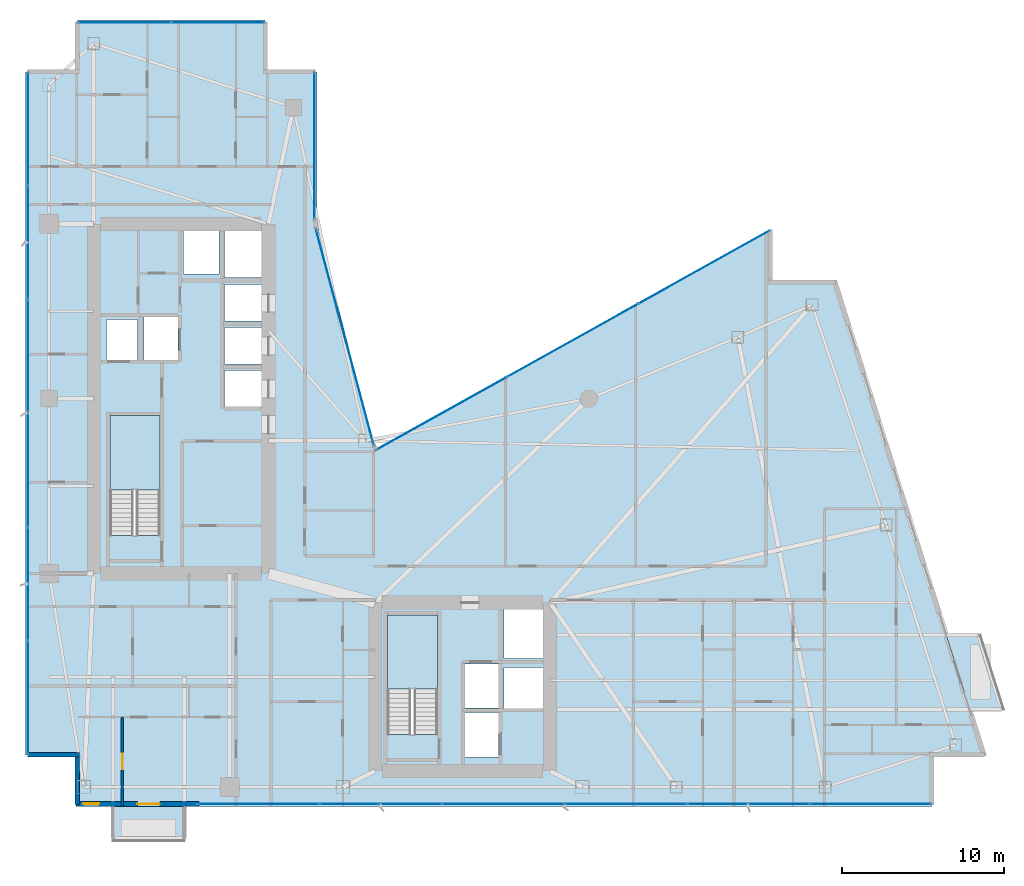
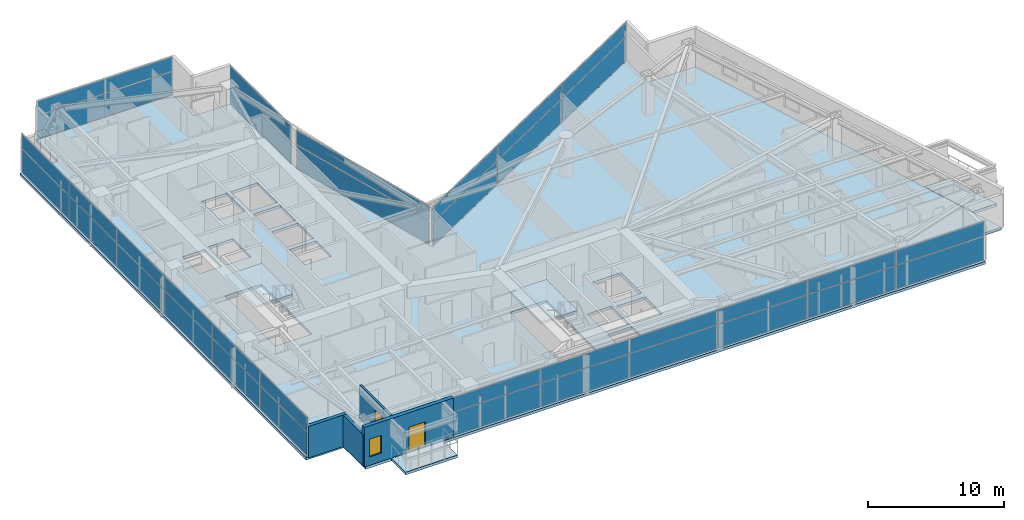
# One storey, part 21 of 29: 38 plates, 5 slabs, 4 walls, 2 doors, 1 window, 3 openings, 8 elements without a shape of their own.
"""IFC4 building model written with IfcOpenShell, lengths in metres."""

from ifc_helpers import new_model, si_unit, direction, frame, frame_2d, origin, origin_2d, place, context, subcontext, project, spatial, polyline, rectangle, outline, extrude, material, layer, layer_set, type_object, element, fill, aggregate, save


model = new_model("IFC4")

# Units and contexts
model_context = context("Model", 3, precision=1e-05, world=origin(), true_north=direction((0.0, 1.0)))
body_context = subcontext(model_context, "Body", "Model", "MODEL_VIEW")
ifc_project = project(units=[si_unit("LENGTHUNIT", "METRE"), si_unit("AREAUNIT", "SQUARE_METRE"), si_unit("VOLUMEUNIT", "CUBIC_METRE"), si_unit("PLANEANGLEUNIT", "RADIAN"), si_unit("MASSUNIT", "GRAM", prefix="KILO")], contexts=[model_context])

# Site, building, storey
site_placement = place(None, origin())
site = spatial("IfcSite", under=ifc_project, at=site_placement, CompositionType="ELEMENT")
building_placement = place(site_placement, origin())
building = spatial("IfcBuilding", under=site, at=building_placement, Name="Calvorn Quay Hotel", CompositionType="ELEMENT")
storey_placement = place(building_placement, frame((0.0, 0.0, 120.199951171875)))
storey = spatial("IfcBuildingStorey", under=building, at=storey_placement, Name="L29", CompositionType="ELEMENT", Elevation=120.199951171875)

# Curtain wall, plates
ifc_material_1 = material(Name="Pale Anodised Aluminium and Low-E Glass", Category="aluminium")
ifc_layer_1 = layer(ifc_material_1, 0.219970703125)
ifc_layer_set_1 = layer_set([ifc_layer_1], Name="CW-SYS-Z2")
curtain_wall_type = type_object("IfcCurtainWallType", Name="CW-SYS-Z2", PredefinedType="NOTDEFINED", material=ifc_layer_set_1)
curtain_wall_1_placement = place(storey_placement, origin())
curtain_wall_1 = element("IfcCurtainWall", 1, at=curtain_wall_1_placement, inside=storey, type_object=curtain_wall_type, Name="Tower West Curtain Wall (L29)", PredefinedType="NOTDEFINED")
ifc_material_2 = material(Name="Low-E Laminated Double Glazing", Category="glass")
ifc_layer_2 = layer(ifc_material_2, 0.028076171875)
ifc_layer_set_2 = layer_set([ifc_layer_2], Name="CW-SYS-Z2-PAN")
plate_type = type_object("IfcPlateType", Name="CW-SYS-Z2-PAN", PredefinedType="CURTAIN_PANEL", material=ifc_layer_set_2)
plate_1_placement = place(storey_placement, frame((0.14990234375, 9.131591796875, 0.06005859375), z_axis=(0.0, 0.0, 1.0), x_axis=(0.0, 1.0, 0.0)))
plate_1 = element("IfcPlate", 2, at=plate_1_placement, type_object=plate_type, Name="CW-L29-W panel 1.1", PredefinedType="CURTAIN_PANEL", context=body_context, shape_type="SweptSolid", body=[
    extrude(rectangle(XDim=6.943359375, YDim=0.028076171875, at=origin_2d()), origin(), (0.0, 0.0, 1.0), 2.110107421875),
])
plate_2_placement = place(storey_placement, frame((0.14990234375, 9.131591796875, 2.22998046875), z_axis=(0.0, 0.0, 1.0), x_axis=(0.0, 1.0, 0.0)))
plate_2 = element("IfcPlate", 3, at=plate_2_placement, type_object=plate_type, Name="CW-L29-W panel 1.2", PredefinedType="CURTAIN_PANEL", context=body_context, shape_type="SweptSolid", body=[
    extrude(rectangle(XDim=6.943359375, YDim=0.028076171875, at=origin_2d()), origin(), (0.0, 0.0, 1.0), 1.27001953125),
])
plate_3_placement = place(storey_placement, frame((0.14990234375, 16.14990234375, 0.06005859375), z_axis=(0.0, 0.0, 1.0), x_axis=(0.0, 1.0, 0.0)))
plate_3 = element("IfcPlate", 4, at=plate_3_placement, type_object=plate_type, Name="CW-L29-W panel 2.1", PredefinedType="CURTAIN_PANEL", context=body_context, shape_type="SweptSolid", body=[
    extrude(rectangle(XDim=6.973388671875, YDim=0.028076171875, at=origin_2d()), origin(), (0.0, 0.0, 1.0), 2.110107421875),
])
plate_4_placement = place(storey_placement, frame((0.14990234375, 16.14990234375, 2.22998046875), z_axis=(0.0, 0.0, 1.0), x_axis=(0.0, 1.0, 0.0)))
plate_4 = element("IfcPlate", 5, at=plate_4_placement, type_object=plate_type, Name="CW-L29-W panel 2.2", PredefinedType="CURTAIN_PANEL", context=body_context, shape_type="SweptSolid", body=[
    extrude(rectangle(XDim=6.973388671875, YDim=0.028076171875, at=origin_2d()), origin(), (0.0, 0.0, 1.0), 1.27001953125),
])
plate_5_placement = place(storey_placement, frame((0.14990234375, 23.183349609375, 0.06005859375), z_axis=(0.0, 0.0, 1.0), x_axis=(0.0, 1.0, 0.0)))
plate_5 = element("IfcPlate", 6, at=plate_5_placement, type_object=plate_type, Name="CW-L29-W panel 3.1", PredefinedType="CURTAIN_PANEL", context=body_context, shape_type="SweptSolid", body=[
    extrude(rectangle(XDim=6.973388671875, YDim=0.028076171875, at=origin_2d()), origin(), (0.0, 0.0, 1.0), 2.110107421875),
])
plate_6_placement = place(storey_placement, frame((0.14990234375, 23.183349609375, 2.22998046875), z_axis=(0.0, 0.0, 1.0), x_axis=(0.0, 1.0, 0.0)))
plate_6 = element("IfcPlate", 7, at=plate_6_placement, type_object=plate_type, Name="CW-L29-W panel 3.2", PredefinedType="CURTAIN_PANEL", context=body_context, shape_type="SweptSolid", body=[
    extrude(rectangle(XDim=6.973388671875, YDim=0.028076171875, at=origin_2d()), origin(), (0.0, 0.0, 1.0), 1.27001953125),
])
plate_7_placement = place(storey_placement, frame((0.14990234375, 30.216552734375, 0.06005859375), z_axis=(0.0, 0.0, 1.0), x_axis=(0.0, 1.0, 0.0)))
plate_7 = element("IfcPlate", 8, at=plate_7_placement, type_object=plate_type, Name="CW-L29-W panel 4.1", PredefinedType="CURTAIN_PANEL", context=body_context, shape_type="SweptSolid", body=[
    extrude(rectangle(XDim=6.973388671875, YDim=0.028076171875, at=origin_2d()), origin(), (0.0, 0.0, 1.0), 2.110107421875),
])
plate_8_placement = place(storey_placement, frame((0.14990234375, 30.216552734375, 2.22998046875), z_axis=(0.0, 0.0, 1.0), x_axis=(0.0, 1.0, 0.0)))
plate_8 = element("IfcPlate", 9, at=plate_8_placement, type_object=plate_type, Name="CW-L29-W panel 4.2", PredefinedType="CURTAIN_PANEL", context=body_context, shape_type="SweptSolid", body=[
    extrude(rectangle(XDim=6.973388671875, YDim=0.028076171875, at=origin_2d()), origin(), (0.0, 0.0, 1.0), 1.27001953125),
])
plate_9_placement = place(storey_placement, frame((0.14990234375, 37.25, 0.06005859375), z_axis=(0.0, 0.0, 1.0), x_axis=(0.0, 1.0, 0.0)))
plate_9 = element("IfcPlate", 10, at=plate_9_placement, type_object=plate_type, Name="CW-L29-W panel 5.1", PredefinedType="CURTAIN_PANEL", context=body_context, shape_type="SweptSolid", body=[
    extrude(rectangle(XDim=6.973388671875, YDim=0.028076171875, at=origin_2d()), origin(), (0.0, 0.0, 1.0), 2.110107421875),
])
plate_10_placement = place(storey_placement, frame((0.14990234375, 37.25, 2.22998046875), z_axis=(0.0, 0.0, 1.0), x_axis=(0.0, 1.0, 0.0)))
plate_10 = element("IfcPlate", 11, at=plate_10_placement, type_object=plate_type, Name="CW-L29-W panel 5.2", PredefinedType="CURTAIN_PANEL", context=body_context, shape_type="SweptSolid", body=[
    extrude(rectangle(XDim=6.973388671875, YDim=0.028076171875, at=origin_2d()), origin(), (0.0, 0.0, 1.0), 1.27001953125),
])
plate_11_placement = place(storey_placement, frame((0.14990234375, 44.268310546875, 0.06005859375), z_axis=(0.0, 0.0, 1.0), x_axis=(0.0, 1.0, 0.0)))
plate_11 = element("IfcPlate", 12, at=plate_11_placement, type_object=plate_type, Name="CW-L29-W panel 6.1", PredefinedType="CURTAIN_PANEL", context=body_context, shape_type="SweptSolid", body=[
    extrude(rectangle(XDim=6.943359375, YDim=0.028076171875, at=origin_2d()), origin(), (0.0, 0.0, 1.0), 2.110107421875),
])
plate_12_placement = place(storey_placement, frame((0.14990234375, 44.268310546875, 2.22998046875), z_axis=(0.0, 0.0, 1.0), x_axis=(0.0, 1.0, 0.0)))
plate_12 = element("IfcPlate", 13, at=plate_12_placement, type_object=plate_type, Name="CW-L29-W panel 6.2", PredefinedType="CURTAIN_PANEL", context=body_context, shape_type="SweptSolid", body=[
    extrude(rectangle(XDim=6.943359375, YDim=0.028076171875, at=origin_2d()), origin(), (0.0, 0.0, 1.0), 1.27001953125),
])
aggregate(curtain_wall_1, [plate_1, plate_2, plate_3, plate_4, plate_5, plate_6, plate_7, plate_8, plate_9, plate_10, plate_11, plate_12])

curtain_wall_2_placement = place(storey_placement, origin())
curtain_wall_2 = element("IfcCurtainWall", 14, at=curtain_wall_2_placement, inside=storey, type_object=curtain_wall_type, Name="Tower South Waterfront Curtain Wall (L29)", PredefinedType="NOTDEFINED")
plate_13_placement = place(storey_placement, frame((14.3984375, 2.550048828125, 0.06005859375), z_axis=(0.0, 0.0, 1.0), x_axis=(1.0, 0.0, 0.0)))
plate_13 = element("IfcPlate", 15, at=plate_13_placement, type_object=plate_type, Name="CW-L29-S panel 1.1", PredefinedType="CURTAIN_PANEL", context=body_context, shape_type="SweptSolid", body=[
    extrude(rectangle(XDim=7.4765625, YDim=0.028076171875, at=origin_2d()), origin(), (0.0, 0.0, 1.0), 2.110107421875),
])
plate_14_placement = place(storey_placement, frame((14.3984375, 2.550048828125, 2.22998046875), z_axis=(0.0, 0.0, 1.0), x_axis=(1.0, 0.0, 0.0)))
plate_14 = element("IfcPlate", 16, at=plate_14_placement, type_object=plate_type, Name="CW-L29-S panel 1.2", PredefinedType="CURTAIN_PANEL", context=body_context, shape_type="SweptSolid", body=[
    extrude(rectangle(XDim=7.4765625, YDim=0.028076171875, at=origin_2d()), origin(), (0.0, 0.0, 1.0), 1.27001953125),
])
plate_15_placement = place(storey_placement, frame((21.949951171875, 2.550048828125, 0.06005859375), z_axis=(0.0, 0.0, 1.0), x_axis=(1.0, 0.0, 0.0)))
plate_15 = element("IfcPlate", 17, at=plate_15_placement, type_object=plate_type, Name="CW-L29-S panel 2.1", PredefinedType="CURTAIN_PANEL", context=body_context, shape_type="SweptSolid", body=[
    extrude(rectangle(XDim=7.506591796875, YDim=0.028076171875, at=origin_2d()), origin(), (0.0, 0.0, 1.0), 2.110107421875),
])
plate_16_placement = place(storey_placement, frame((21.949951171875, 2.550048828125, 2.22998046875), z_axis=(0.0, 0.0, 1.0), x_axis=(1.0, 0.0, 0.0)))
plate_16 = element("IfcPlate", 18, at=plate_16_placement, type_object=plate_type, Name="CW-L29-S panel 2.2", PredefinedType="CURTAIN_PANEL", context=body_context, shape_type="SweptSolid", body=[
    extrude(rectangle(XDim=7.506591796875, YDim=0.028076171875, at=origin_2d()), origin(), (0.0, 0.0, 1.0), 1.27001953125),
])
plate_17_placement = place(storey_placement, frame((29.5166015625, 2.550048828125, 0.06005859375), z_axis=(0.0, 0.0, 1.0), x_axis=(1.0, 0.0, 0.0)))
plate_17 = element("IfcPlate", 19, at=plate_17_placement, type_object=plate_type, Name="CW-L29-S panel 3.1", PredefinedType="CURTAIN_PANEL", context=body_context, shape_type="SweptSolid", body=[
    extrude(rectangle(XDim=7.506591796875, YDim=0.028076171875, at=origin_2d()), origin(), (0.0, 0.0, 1.0), 2.110107421875),
])
plate_18_placement = place(storey_placement, frame((29.5166015625, 2.550048828125, 2.22998046875), z_axis=(0.0, 0.0, 1.0), x_axis=(1.0, 0.0, 0.0)))
plate_18 = element("IfcPlate", 20, at=plate_18_placement, type_object=plate_type, Name="CW-L29-S panel 3.2", PredefinedType="CURTAIN_PANEL", context=body_context, shape_type="SweptSolid", body=[
    extrude(rectangle(XDim=7.506591796875, YDim=0.028076171875, at=origin_2d()), origin(), (0.0, 0.0, 1.0), 1.27001953125),
])
plate_19_placement = place(storey_placement, frame((37.083251953125, 2.550048828125, 0.06005859375), z_axis=(0.0, 0.0, 1.0), x_axis=(1.0, 0.0, 0.0)))
plate_19 = element("IfcPlate", 21, at=plate_19_placement, type_object=plate_type, Name="CW-L29-S panel 4.1", PredefinedType="CURTAIN_PANEL", context=body_context, shape_type="SweptSolid", body=[
    extrude(rectangle(XDim=7.506591796875, YDim=0.028076171875, at=origin_2d()), origin(), (0.0, 0.0, 1.0), 2.110107421875),
])
plate_20_placement = place(storey_placement, frame((37.083251953125, 2.550048828125, 2.22998046875), z_axis=(0.0, 0.0, 1.0), x_axis=(1.0, 0.0, 0.0)))
plate_20 = element("IfcPlate", 22, at=plate_20_placement, type_object=plate_type, Name="CW-L29-S panel 4.2", PredefinedType="CURTAIN_PANEL", context=body_context, shape_type="SweptSolid", body=[
    extrude(rectangle(XDim=7.506591796875, YDim=0.028076171875, at=origin_2d()), origin(), (0.0, 0.0, 1.0), 1.27001953125),
])
plate_21_placement = place(storey_placement, frame((44.64990234375, 2.550048828125, 0.06005859375), z_axis=(0.0, 0.0, 1.0), x_axis=(1.0, 0.0, 0.0)))
plate_21 = element("IfcPlate", 23, at=plate_21_placement, type_object=plate_type, Name="CW-L29-S panel 5.1", PredefinedType="CURTAIN_PANEL", context=body_context, shape_type="SweptSolid", body=[
    extrude(rectangle(XDim=7.506591796875, YDim=0.028076171875, at=origin_2d()), origin(), (0.0, 0.0, 1.0), 2.110107421875),
])
plate_22_placement = place(storey_placement, frame((44.64990234375, 2.550048828125, 2.22998046875), z_axis=(0.0, 0.0, 1.0), x_axis=(1.0, 0.0, 0.0)))
plate_22 = element("IfcPlate", 24, at=plate_22_placement, type_object=plate_type, Name="CW-L29-S panel 5.2", PredefinedType="CURTAIN_PANEL", context=body_context, shape_type="SweptSolid", body=[
    extrude(rectangle(XDim=7.506591796875, YDim=0.028076171875, at=origin_2d()), origin(), (0.0, 0.0, 1.0), 1.27001953125),
])
plate_23_placement = place(storey_placement, frame((52.20166015625, 2.550048828125, 0.06005859375), z_axis=(0.0, 0.0, 1.0), x_axis=(1.0, 0.0, 0.0)))
plate_23 = element("IfcPlate", 25, at=plate_23_placement, type_object=plate_type, Name="CW-L29-S panel 6.1", PredefinedType="CURTAIN_PANEL", context=body_context, shape_type="SweptSolid", body=[
    extrude(rectangle(XDim=7.4765625, YDim=0.028076171875, at=origin_2d()), origin(), (0.0, 0.0, 1.0), 2.110107421875),
])
plate_24_placement = place(storey_placement, frame((52.20166015625, 2.550048828125, 2.22998046875), z_axis=(0.0, 0.0, 1.0), x_axis=(1.0, 0.0, 0.0)))
plate_24 = element("IfcPlate", 26, at=plate_24_placement, type_object=plate_type, Name="CW-L29-S panel 6.2", PredefinedType="CURTAIN_PANEL", context=body_context, shape_type="SweptSolid", body=[
    extrude(rectangle(XDim=7.4765625, YDim=0.028076171875, at=origin_2d()), origin(), (0.0, 0.0, 1.0), 1.27001953125),
])
aggregate(curtain_wall_2, [plate_13, plate_14, plate_15, plate_16, plate_17, plate_18, plate_19, plate_20, plate_21, plate_22, plate_23, plate_24])

curtain_wall_3_placement = place(storey_placement, origin())
curtain_wall_3 = element("IfcCurtainWall", 27, at=curtain_wall_3_placement, inside=storey, type_object=curtain_wall_type, Name="Inner Court Curtain Wall L29-NE1", PredefinedType="NOTDEFINED")
plate_25_placement = place(storey_placement, frame((41.920166015625, 35.72607421875, 0.06005859375), z_axis=(0.0, 0.0, 1.0), x_axis=(-0.873480989116, -0.486858256224, 0.0)))
plate_25 = element("IfcPlate", 28, at=plate_25_placement, type_object=plate_type, Name="CW-L29-NE1 panel 1.1", PredefinedType="CURTAIN_PANEL", context=body_context, shape_type="SweptSolid", body=[
    extrude(rectangle(XDim=9.221435546875, YDim=0.028076171875, at=origin_2d()), origin(), (0.0, 0.0, 1.0), 2.110107421875),
])
plate_26_placement = place(storey_placement, frame((41.920166015625, 35.72607421875, 2.22998046875), z_axis=(0.0, 0.0, 1.0), x_axis=(-0.873480989116, -0.486858256224, 0.0)))
plate_26 = element("IfcPlate", 29, at=plate_26_placement, type_object=plate_type, Name="CW-L29-NE1 panel 1.2", PredefinedType="CURTAIN_PANEL", context=body_context, shape_type="SweptSolid", body=[
    extrude(rectangle(XDim=9.221435546875, YDim=0.028076171875, at=origin_2d()), origin(), (0.0, 0.0, 1.0), 1.27001953125),
])
plate_27_placement = place(storey_placement, frame((33.800048828125, 31.199951171875, 0.06005859375), z_axis=(0.0, 0.0, 1.0), x_axis=(-0.873480989116, -0.486858256224, 0.0)))
plate_27 = element("IfcPlate", 30, at=plate_27_placement, type_object=plate_type, Name="CW-L29-NE1 panel 2.1", PredefinedType="CURTAIN_PANEL", context=body_context, shape_type="SweptSolid", body=[
    extrude(rectangle(XDim=9.25146484375, YDim=0.028076171875, at=origin_2d()), origin(), (0.0, 0.0, 1.0), 2.110107421875),
])
plate_28_placement = place(storey_placement, frame((33.800048828125, 31.199951171875, 2.22998046875), z_axis=(0.0, 0.0, 1.0), x_axis=(-0.873480989116, -0.486858256224, 0.0)))
plate_28 = element("IfcPlate", 31, at=plate_28_placement, type_object=plate_type, Name="CW-L29-NE1 panel 2.2", PredefinedType="CURTAIN_PANEL", context=body_context, shape_type="SweptSolid", body=[
    extrude(rectangle(XDim=9.25146484375, YDim=0.028076171875, at=origin_2d()), origin(), (0.0, 0.0, 1.0), 1.27001953125),
])
plate_29_placement = place(storey_placement, frame((25.6796875, 26.674072265625, 0.06005859375), z_axis=(0.0, 0.0, 1.0), x_axis=(-0.873480989116, -0.486858256224, 0.0)))
plate_29 = element("IfcPlate", 32, at=plate_29_placement, type_object=plate_type, Name="CW-L29-NE1 panel 3.1", PredefinedType="CURTAIN_PANEL", context=body_context, shape_type="SweptSolid", body=[
    extrude(rectangle(XDim=9.221435546875, YDim=0.028076171875, at=origin_2d()), origin(), (0.0, 0.0, 1.0), 2.110107421875),
])
plate_30_placement = place(storey_placement, frame((25.6796875, 26.674072265625, 2.22998046875), z_axis=(0.0, 0.0, 1.0), x_axis=(-0.873480989116, -0.486858256224, 0.0)))
plate_30 = element("IfcPlate", 33, at=plate_30_placement, type_object=plate_type, Name="CW-L29-NE1 panel 3.2", PredefinedType="CURTAIN_PANEL", context=body_context, shape_type="SweptSolid", body=[
    extrude(rectangle(XDim=9.221435546875, YDim=0.028076171875, at=origin_2d()), origin(), (0.0, 0.0, 1.0), 1.27001953125),
])
aggregate(curtain_wall_3, [plate_25, plate_26, plate_27, plate_28, plate_29, plate_30])

curtain_wall_4_placement = place(storey_placement, origin())
curtain_wall_4 = element("IfcCurtainWall", 34, at=curtain_wall_4_placement, inside=storey, type_object=curtain_wall_type, Name="Inner Court Curtain Wall L29-IC1", PredefinedType="NOTDEFINED")
plate_31_placement = place(storey_placement, frame((19.72509765625, 31.39990234375, 0.06005859375), z_axis=(0.0, 0.0, 1.0), x_axis=(-0.25877913024, 0.96593652056, 0.0)))
plate_31 = element("IfcPlate", 35, at=plate_31_placement, type_object=plate_type, Name="CW-L29-IC1 panel 1.1", PredefinedType="CURTAIN_PANEL", context=body_context, shape_type="SweptSolid", body=[
    extrude(rectangle(XDim=13.814697265625, YDim=0.028076171875, at=origin_2d()), origin(), (0.0, 0.0, 1.0), 2.110107421875),
])
plate_32_placement = place(storey_placement, frame((19.72509765625, 31.39990234375, 2.22998046875), z_axis=(0.0, 0.0, 1.0), x_axis=(-0.25877913024, 0.96593652056, 0.0)))
plate_32 = element("IfcPlate", 36, at=plate_32_placement, type_object=plate_type, Name="CW-L29-IC1 panel 1.2", PredefinedType="CURTAIN_PANEL", context=body_context, shape_type="SweptSolid", body=[
    extrude(rectangle(XDim=13.814697265625, YDim=0.028076171875, at=origin_2d()), origin(), (0.0, 0.0, 1.0), 1.27001953125),
])
aggregate(curtain_wall_4, [plate_31, plate_32])

curtain_wall_5_placement = place(storey_placement, origin())
curtain_wall_5 = element("IfcCurtainWall", 37, at=curtain_wall_5_placement, inside=storey, type_object=curtain_wall_type, Name="Inner Court Curtain Wall L29-IC2", PredefinedType="NOTDEFINED")
plate_33_placement = place(storey_placement, frame((17.85009765625, 43.239990234375, 0.06005859375), z_axis=(0.0, 0.0, 1.0), x_axis=(0.0, 1.0, 0.0)))
plate_33 = element("IfcPlate", 38, at=plate_33_placement, type_object=plate_type, Name="CW-L29-IC2 panel 1.1", PredefinedType="CURTAIN_PANEL", context=body_context, shape_type="SweptSolid", body=[
    extrude(rectangle(XDim=9.0, YDim=0.028076171875, at=origin_2d()), origin(), (0.0, 0.0, 1.0), 2.110107421875),
])
plate_34_placement = place(storey_placement, frame((17.85009765625, 43.239990234375, 2.22998046875), z_axis=(0.0, 0.0, 1.0), x_axis=(0.0, 1.0, 0.0)))
plate_34 = element("IfcPlate", 39, at=plate_34_placement, type_object=plate_type, Name="CW-L29-IC2 panel 1.2", PredefinedType="CURTAIN_PANEL", context=body_context, shape_type="SweptSolid", body=[
    extrude(rectangle(XDim=9.0, YDim=0.028076171875, at=origin_2d()), origin(), (0.0, 0.0, 1.0), 1.27001953125),
])
aggregate(curtain_wall_5, [plate_33, plate_34])

curtain_wall_6_placement = place(storey_placement, origin())
curtain_wall_6 = element("IfcCurtainWall", 40, at=curtain_wall_6_placement, inside=storey, type_object=curtain_wall_type, Name="Inner Court Curtain Wall L29-N1", PredefinedType="NOTDEFINED")
plate_35_placement = place(storey_placement, frame((11.885009765625, 50.85009765625, 0.06005859375), z_axis=(0.0, 0.0, 1.0), x_axis=(-1.0, 0.0, 0.0)))
plate_35 = element("IfcPlate", 41, at=plate_35_placement, type_object=plate_type, Name="CW-L29-N1 panel 1.1", PredefinedType="CURTAIN_PANEL", context=body_context, shape_type="SweptSolid", body=[
    extrude(rectangle(XDim=5.7099609375, YDim=0.028076171875, at=origin_2d()), origin(), (0.0, 0.0, 1.0), 2.110107421875),
])
plate_36_placement = place(storey_placement, frame((11.885009765625, 50.85009765625, 2.22998046875), z_axis=(0.0, 0.0, 1.0), x_axis=(-1.0, 0.0, 0.0)))
plate_36 = element("IfcPlate", 42, at=plate_36_placement, type_object=plate_type, Name="CW-L29-N1 panel 1.2", PredefinedType="CURTAIN_PANEL", context=body_context, shape_type="SweptSolid", body=[
    extrude(rectangle(XDim=5.7099609375, YDim=0.028076171875, at=origin_2d()), origin(), (0.0, 0.0, 1.0), 1.27001953125),
])
plate_37_placement = place(storey_placement, frame((6.114990234375, 50.85009765625, 0.06005859375), z_axis=(0.0, 0.0, 1.0), x_axis=(-1.0, 0.0, 0.0)))
plate_37 = element("IfcPlate", 43, at=plate_37_placement, type_object=plate_type, Name="CW-L29-N1 panel 2.1", PredefinedType="CURTAIN_PANEL", context=body_context, shape_type="SweptSolid", body=[
    extrude(rectangle(XDim=5.7099609375, YDim=0.028076171875, at=origin_2d()), origin(), (0.0, 0.0, 1.0), 2.110107421875),
])
plate_38_placement = place(storey_placement, frame((6.114990234375, 50.85009765625, 2.22998046875), z_axis=(0.0, 0.0, 1.0), x_axis=(-1.0, 0.0, 0.0)))
plate_38 = element("IfcPlate", 44, at=plate_38_placement, type_object=plate_type, Name="CW-L29-N1 panel 2.2", PredefinedType="CURTAIN_PANEL", context=body_context, shape_type="SweptSolid", body=[
    extrude(rectangle(XDim=5.7099609375, YDim=0.028076171875, at=origin_2d()), origin(), (0.0, 0.0, 1.0), 1.27001953125),
])
aggregate(curtain_wall_6, [plate_35, plate_36, plate_37, plate_38])

# Slabs
ifc_material_3 = material(Name="Concrete C40", Category="concrete")
ifc_layer_3 = layer(ifc_material_3, 0.239990234375)
ifc_layer_set_3 = layer_set([ifc_layer_3], Name="SLB-BALCONY-220")
slab_type_1 = type_object("IfcSlabType", Name="SLB-BALCONY-220", PredefinedType="FLOOR", material=ifc_layer_set_3)
slab_1_placement = place(storey_placement, frame((0.0, 0.0, -0.239990234375)))
element("IfcSlab", 45, at=slab_1_placement, inside=storey, type_object=slab_type_1, Name="Tree Balcony Slab L29-BALC-E", PredefinedType="FLOOR", context=body_context, shape_type="SweptSolid", body=[
    extrude(outline(polyline([(58.327880859375, 8.39990234375), (60.427978515625, 8.39990234375), (58.97802734375, 13.0), (56.8779296875, 13.0), (58.327880859375, 8.39990234375)])), origin(), (0.0, 0.0, 1.0), 0.239990234375),
])
slab_2_placement = place(storey_placement, frame((0.0, 0.0, -0.239990234375)))
element("IfcSlab", 46, at=slab_2_placement, inside=storey, type_object=slab_type_1, Name="Tree Balcony Slab L29-BALC-S", PredefinedType="FLOOR", context=body_context, shape_type="SweptSolid", body=[
    extrude(outline(polyline([(5.39990234375, 0.2900390625), (9.800048828125, 0.2900390625), (9.800048828125, 2.389892578125), (5.39990234375, 2.389892578125), (5.39990234375, 0.2900390625)])), origin(), (0.0, 0.0, 1.0), 0.239990234375),
])

# Stair, slab
ifc_material_4 = material(Name="Concrete C40", Category="concrete")
stair_type = type_object("IfcStairType", Name="STR-CORE-DOGLEG", PredefinedType="HALF_TURN_STAIR", material=ifc_material_4)
stair_1_placement = place(storey_placement, origin())
stair_1 = element("IfcStair", 47, at=stair_1_placement, inside=storey, type_object=stair_type, Name="L29 ST-W", PredefinedType="HALF_TURN_STAIR")
ifc_material_5 = material(Name="Concrete C40", Category="concrete")
ifc_layer_4 = layer(ifc_material_5, 0.199951171875)
ifc_layer_set_4 = layer_set([ifc_layer_4], Name="SLB-STAIR-LANDING-200")
slab_type_2 = type_object("IfcSlabType", Name="SLB-STAIR-LANDING-200", PredefinedType="LANDING", material=ifc_layer_set_4)
slab_3_placement = place(storey_placement, frame((0.0, 0.0, 1.699951171875)))
slab_3 = element("IfcSlab", 48, at=slab_3_placement, type_object=slab_type_2, Name="ST-W landing 1", PredefinedType="LANDING", context=body_context, shape_type="SweptSolid", body=[
    extrude(outline(polyline([(8.300048828125, 21.949951171875), (8.300048828125, 26.550048828125), (5.199951171875, 26.550048828125), (5.199951171875, 21.949951171875), (8.300048828125, 21.949951171875)])), origin(), (0.0, 0.0, 1.0), 0.2001953125),
])
aggregate(stair_1, [slab_3])

stair_2_placement = place(storey_placement, origin())
stair_2 = element("IfcStair", 49, at=stair_2_placement, inside=storey, type_object=stair_type, Name="L29 ST-E", PredefinedType="HALF_TURN_STAIR")
slab_4_placement = place(storey_placement, frame((0.0, 0.0, 1.699951171875)))
slab_4 = element("IfcSlab", 50, at=slab_4_placement, type_object=slab_type_2, Name="ST-E landing 1", PredefinedType="LANDING", context=body_context, shape_type="SweptSolid", body=[
    extrude(outline(polyline([(25.449951171875, 9.64990234375), (25.449951171875, 14.25), (22.35009765625, 14.25), (22.35009765625, 9.64990234375), (25.449951171875, 9.64990234375)])), origin(), (0.0, 0.0, 1.0), 0.2001953125),
])
aggregate(stair_2, [slab_4])

# Slab
ifc_material_6 = material(Name="Concrete C40", Category="concrete")
ifc_layer_5 = layer(ifc_material_6, 0.239990234375)
ifc_layer_set_5 = layer_set([ifc_layer_5], Name="SLB-TOWER-240")
slab_type_3 = type_object("IfcSlabType", Name="SLB-TOWER-240", PredefinedType="FLOOR", material=ifc_layer_set_5)
slab_5_placement = place(storey_placement, frame((0.0, 0.0, -0.239990234375)))
element("IfcSlab", 51, at=slab_5_placement, inside=storey, type_object=slab_type_3, Name="L29 Structural Floor Slab", PredefinedType="FLOOR", context=body_context, shape_type="SweptSolid", body=[
    extrude(outline(polyline([(0.0, 5.60009765625), (3.199951171875, 5.60009765625), (3.199951171875, 2.39990234375), (56.0, 2.39990234375), (56.0, 5.60009765625), (59.199951171875, 5.60009765625), (50.0, 34.800048828125), (46.0, 34.800048828125), (46.0, 38.0), (21.60009765625, 24.39990234375), (18.0, 38.39990234375), (18.0, 47.800048828125), (14.800048828125, 47.800048828125), (14.800048828125, 51.0), (3.199951171875, 51.0), (3.199951171875, 47.800048828125), (0.0, 47.800048828125), (0.0, 5.60009765625)]), holes=[polyline([(5.199951171875, 19.156005859375), (8.300048828125, 19.156005859375), (8.300048828125, 26.550048828125), (5.199951171875, 26.550048828125), (5.199951171875, 19.156005859375)]), polyline([(22.35009765625, 6.85595703125), (25.449951171875, 6.85595703125), (25.449951171875, 14.25), (22.35009765625, 14.25), (22.35009765625, 6.85595703125)]), polyline([(5.0, 30.0), (6.89990234375, 30.0), (6.89990234375, 32.5), (5.0, 32.5), (5.0, 30.0)]), polyline([(7.300048828125, 30.0), (9.39990234375, 30.0), (9.39990234375, 32.64990234375), (7.300048828125, 32.64990234375), (7.300048828125, 30.0)]), polyline([(27.159912109375, 8.5), (29.2099609375, 8.5), (29.2099609375, 11.199951171875), (27.159912109375, 11.199951171875), (27.159912109375, 8.5)]), polyline([(27.159912109375, 5.449951171875), (29.2099609375, 5.449951171875), (29.2099609375, 8.199951171875), (27.159912109375, 8.199951171875), (27.159912109375, 5.449951171875)]), polyline([(12.300048828125, 27.10009765625), (14.56494140625, 27.10009765625), (14.56494140625, 29.35009765625), (12.300048828125, 29.35009765625), (12.300048828125, 27.10009765625)]), polyline([(12.300048828125, 29.75), (14.56494140625, 29.75), (14.56494140625, 32.0), (12.300048828125, 32.0), (12.300048828125, 29.75)]), polyline([(12.300048828125, 32.39990234375), (14.56494140625, 32.39990234375), (14.56494140625, 34.64990234375), (12.300048828125, 34.64990234375), (12.300048828125, 32.39990234375)]), polyline([(12.300048828125, 35.10009765625), (14.56494140625, 35.10009765625), (14.56494140625, 37.965087890625), (12.300048828125, 37.965087890625), (12.300048828125, 35.10009765625)]), polyline([(9.75, 35.300048828125), (11.949951171875, 35.300048828125), (11.949951171875, 37.965087890625), (9.75, 37.965087890625), (9.75, 35.300048828125)]), polyline([(29.550048828125, 11.550048828125), (31.965087890625, 11.550048828125), (31.965087890625, 14.56494140625), (29.550048828125, 14.56494140625), (29.550048828125, 11.550048828125)]), polyline([(29.550048828125, 8.449951171875), (31.965087890625, 8.449951171875), (31.965087890625, 11.0), (29.550048828125, 11.0), (29.550048828125, 8.449951171875)])]), origin(), (0.0, 0.0, 1.0), 0.239990234375),
])

# Wall, openings, door, window
ifc_material_7 = material(Name="Concrete C40", Category="concrete")
ifc_layer_6 = layer(ifc_material_7, 0.320068359375)
ifc_layer_set_6 = layer_set([ifc_layer_6], Name="WL-EXT-SPANDREL-320")
wall_type_1 = type_object("IfcWallType", Name="WL-EXT-SPANDREL-320", PredefinedType="SOLIDWALL", material=ifc_layer_set_6)
wall_1_placement = place(storey_placement, frame((3.10009765625, 2.56005859375, 0.0), z_axis=(0.0, 0.0, 1.0), x_axis=(1.0, 0.0, 0.0)))
wall_1 = element("IfcWall", 52, at=wall_1_placement, inside=storey, type_object=wall_type_1, Name="South Balcony Exterior Wall (L29)", PredefinedType="SOLIDWALL", context=body_context, shape_type="SweptSolid", body=[
    extrude(rectangle(XDim=7.599853515625, YDim=0.320068359375, at=frame_2d((3.7998046875, 0.0))), origin(), (0.0, 0.0, 1.0), 3.56005859375),
])
opening_1_placement = place(wall_1_placement, frame((0.449951171875, 0.0, 0.75)))
opening_1 = element("IfcOpeningElement", 53, at=opening_1_placement, cuts=wall_1, Name="Opening WSB-L29-1", PredefinedType="OPENING", context=body_context, shape_type="SweptSolid", body=[
    extrude(rectangle(XDim=1.0, YDim=1.60009765625, at=frame_2d((0.5, 0.800048828125))), frame((0.0, 0.169921875, 0.0), z_axis=(0.0, -1.0, 0.0), x_axis=(1.0, 0.0, 0.0)), (0.0, 0.0, 1.0), 0.340087890625),
])
opening_2_placement = place(wall_1_placement, frame((3.800048828125, 0.0, 0.0)))
opening_2 = element("IfcOpeningElement", 54, at=opening_2_placement, cuts=wall_1, Name="Opening DB-L29-2", PredefinedType="OPENING", context=body_context, shape_type="SweptSolid", body=[
    extrude(rectangle(XDim=1.39990234375, YDim=2.25, at=frame_2d((0.699951171875, 1.125))), frame((0.0, 0.169921875, 0.0), z_axis=(0.0, -1.0, 0.0), x_axis=(1.0, 0.0, 0.0)), (0.0, 0.0, 1.0), 0.340087890625),
])
ifc_material_8 = material(Name="Typhoon-Rated Low-E Aluminium Terrace Door", Category="aluminium")
door_type_1 = type_object("IfcDoorType", Name="DR-BALCONY-GLZ-1400", OperationType="NOTDEFINED", PredefinedType="DOOR", material=ifc_material_8)
door_1_placement = place(opening_2_placement, origin())
door_1 = element("IfcDoor", 55, at=door_1_placement, inside=storey, type_object=door_type_1, Name="Tree Balcony Terrace Door L29-BALC-S", OperationType="SINGLE_SWING_LEFT", OverallHeight=2.25, OverallWidth=1.39990234375, PredefinedType="DOOR", context=body_context, shape_type="SweptSolid", body=[
    extrude(rectangle(XDim=1.39990234375, YDim=2.25, at=frame_2d((0.699951171875, 1.125))), frame((0.0, 0.02490234375, 0.0), z_axis=(0.0, -1.0, 0.0), x_axis=(1.0, 0.0, 0.0)), (0.0, 0.0, 1.0), 0.050048828125),
])
fill(opening_2, door_1)
ifc_material_9 = material(Name="Self-Closing Class B Side Fire Window")
window_type = type_object("IfcWindowType", Name="WIN-REFUGE-NARROW-1000x1600", PartitioningType="SINGLE_PANEL", PredefinedType="WINDOW", material=ifc_material_9)
window_placement = place(opening_1_placement, origin())
window = element("IfcWindow", 56, at=window_placement, inside=storey, type_object=window_type, Name="South Waterfront Side Window (L29)", OverallHeight=1.60009765625, OverallWidth=1.0, PartitioningType="SINGLE_PANEL", PredefinedType="WINDOW", context=body_context, shape_type="SweptSolid", body=[
    extrude(rectangle(XDim=1.0, YDim=1.60009765625, at=frame_2d((0.5, 0.800048828125))), frame((0.0, 0.030029296875, 0.0), z_axis=(0.0, -1.0, 0.0), x_axis=(1.0, 0.0, 0.0)), (0.0, 0.0, 1.0), 0.06005859375),
])
fill(opening_1, window)

# Walls
wall_2_placement = place(storey_placement, frame((0.1201171875, 5.60009765625, 0.0), z_axis=(0.0, 0.0, 1.0), x_axis=(1.0, 0.0, 0.0)))
element("IfcWall", 57, at=wall_2_placement, inside=storey, type_object=wall_type_1, Name="Notched Corner Spandrel L29-SW1", PredefinedType="SOLIDWALL", context=body_context, shape_type="SweptSolid", body=[
    extrude(rectangle(XDim=3.219970703125, YDim=0.280029296875, at=frame_2d((1.60986328125, 0.0))), origin(), (0.0, 0.0, 1.0), 2.840087890625),
])
wall_3_placement = place(storey_placement, frame((3.199951171875, 5.4599609375, 0.0), z_axis=(0.0, 0.0, 1.0), x_axis=(0.0, -1.0, 0.0)))
element("IfcWall", 58, at=wall_3_placement, inside=storey, type_object=wall_type_1, Name="Notched Corner Spandrel L29-SW2", PredefinedType="SOLIDWALL", context=body_context, shape_type="SweptSolid", body=[
    extrude(rectangle(XDim=2.93994140625, YDim=0.280029296875, at=frame_2d((1.469970703125, 0.0))), origin(), (0.0, 0.0, 1.0), 2.840087890625),
])

# Wall, opening, door
ifc_material_10 = material(Name="Double-Stud Acoustic Gypsum Partition")
ifc_layer_7 = layer(ifc_material_10, 0.159912109375)
ifc_layer_set_7 = layer_set([ifc_layer_7], Name="WL-INTERSUITE-160")
wall_type_2 = type_object("IfcWallType", Name="WL-INTERSUITE-160", PredefinedType="PARTITIONING", material=ifc_layer_set_7)
wall_4_placement = place(storey_placement, frame((5.97998046875, 2.43994140625, 0.0), z_axis=(0.0, 0.0, 1.0), x_axis=(0.0, 1.0, 0.0)))
wall_4 = element("IfcWall", 59, at=wall_4_placement, inside=storey, type_object=wall_type_2, Name="Partition Wall L29-WL-U01-MSP", PredefinedType="PARTITIONING", context=body_context, shape_type="SweptSolid", body=[
    extrude(rectangle(XDim=5.47998046875, YDim=0.159912109375, at=frame_2d((2.739990234375, 0.0))), origin(), (0.0, 0.0, 1.0), 3.0400390625),
])
opening_3_placement = place(wall_4_placement, frame((2.260009765625, 0.0, 0.0)))
opening_3 = element("IfcOpeningElement", 60, at=opening_3_placement, cuts=wall_4, Name="Opening D-L29-M01", PredefinedType="OPENING", context=body_context, shape_type="SweptSolid", body=[
    extrude(rectangle(XDim=0.9599609375, YDim=2.199951171875, at=frame_2d((0.47998046875, 1.10009765625))), frame((0.0, 0.08984375, 0.0), z_axis=(0.0, -1.0, 0.0), x_axis=(1.0, 0.0, 0.0)), (0.0, 0.0, 1.0), 0.179931640625),
])
ifc_material_11 = material(Name="Solid Timber Internal Suite Door", Category="wood")
door_type_2 = type_object("IfcDoorType", Name="DR-SUITE-INT-960", OperationType="NOTDEFINED", PredefinedType="DOOR", material=ifc_material_11)
door_2_placement = place(opening_3_placement, origin())
door_2 = element("IfcDoor", 61, at=door_2_placement, inside=storey, type_object=door_type_2, Name="Suite Bedroom Door 01", OperationType="SINGLE_SWING_LEFT", OverallHeight=2.199951171875, OverallWidth=0.9599609375, PredefinedType="DOOR", context=body_context, shape_type="SweptSolid", body=[
    extrude(rectangle(XDim=0.9599609375, YDim=2.199951171875, at=frame_2d((0.47998046875, 1.10009765625))), frame((0.0, 0.02490234375, 0.0), z_axis=(0.0, -1.0, 0.0), x_axis=(1.0, 0.0, 0.0)), (0.0, 0.0, 1.0), 0.050048828125),
])
fill(opening_3, door_2)

save(model, "model.ifc")
